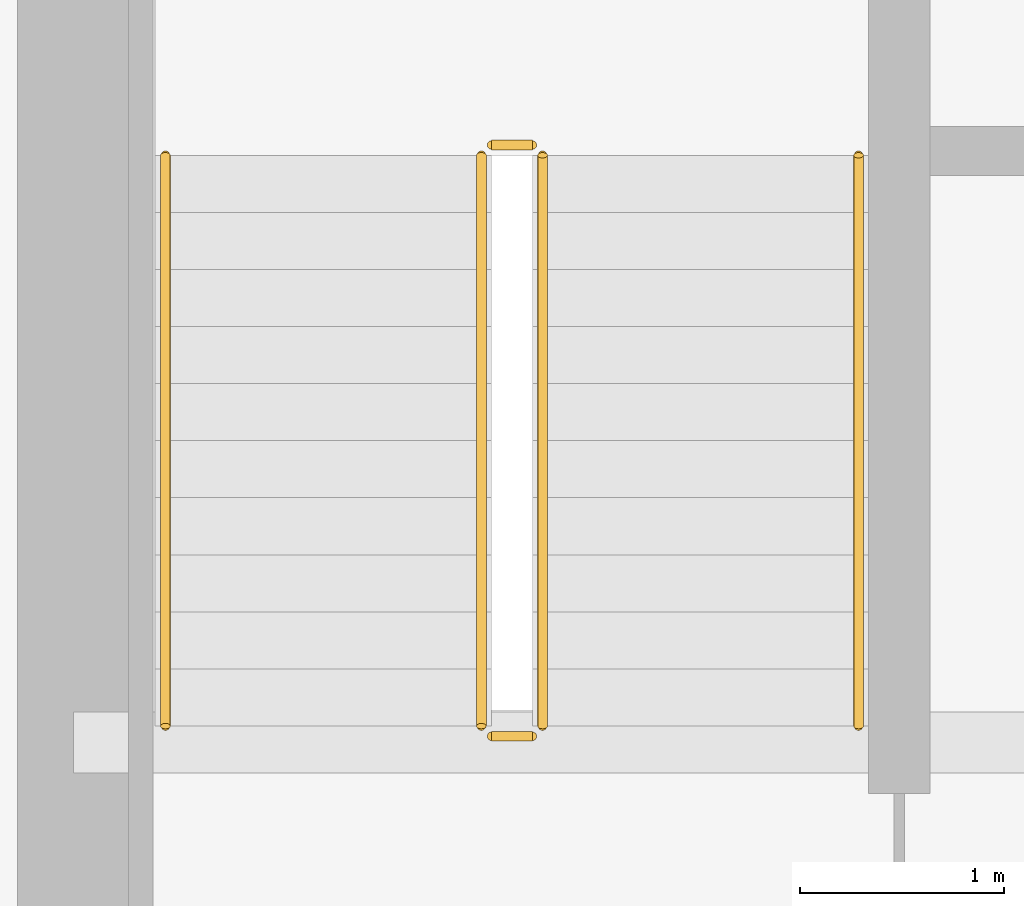
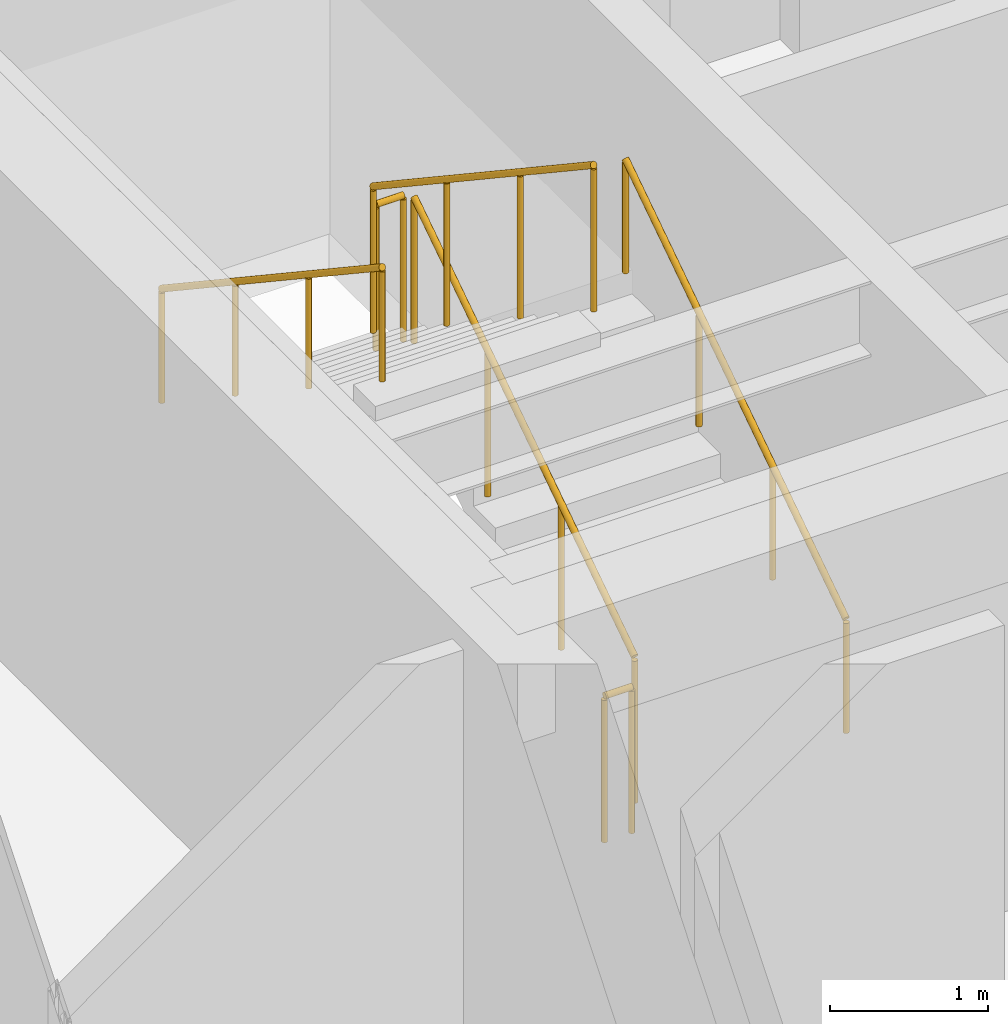
# One storey, part 32 of 33: 6 railings.
"""IFC4 building model written with IfcOpenShell, lengths in metres."""

from ifc_helpers import new_model, si_unit, direction, frame, origin, origin_2d, place, context, subcontext, project, spatial, circle, extrude, source, transform, mapped, material, type_object, type_shapes, element, save


model = new_model("IFC4")

# Units and contexts
model_context = context("Model", 3, precision=1e-05, world=origin(), true_north=direction((0.0, 1.0)))
body_context = subcontext(model_context, "Body", "Model", "MODEL_VIEW")
ifc_project = project(units=[si_unit("LENGTHUNIT", "METRE"), si_unit("AREAUNIT", "SQUARE_METRE"), si_unit("VOLUMEUNIT", "CUBIC_METRE"), si_unit("PLANEANGLEUNIT", "RADIAN"), si_unit("MASSUNIT", "GRAM", prefix="KILO")], contexts=[model_context])

# Site, building, storey
site_placement = place(None, origin())
site = spatial("IfcSite", under=ifc_project, at=site_placement, CompositionType="ELEMENT")
building_placement = place(site_placement, origin())
building = spatial("IfcBuilding", under=site, at=building_placement, Name="Haelvirn Gate Laboratories", CompositionType="ELEMENT")
storey_placement = place(building_placement, frame((0.0, 0.0, 217.800048828125)))
storey = spatial("IfcBuildingStorey", under=building, at=storey_placement, Name="L52", CompositionType="ELEMENT", Elevation=217.800048828125)

# Railings
ifc_material_1 = material(Name="Galvanised steel SM355 & stainless top rail", Category="steel")
railing_type_1 = type_object("IfcRailingType", Name="RL-GUARD-1150", PredefinedType="GUARDRAIL", material=ifc_material_1)
shared_shape_1 = source(origin(), body_context, "Body", "SweptSolid", [
    extrude(circle(Radius=0.02392578125, at=origin_2d()), frame((0.0, 0.0, 1.1259765625), z_axis=(-1.0, 0.0, 0.0), x_axis=(0.0, -1.0, 0.0)), (0.0, 0.0, 1.0), 0.199951171875),
    extrude(circle(Radius=0.02099609375, at=origin_2d()), origin(), (0.0, 0.0, 1.0), 1.101806640625),
    extrude(circle(Radius=0.02099609375, at=origin_2d()), frame((-0.199951171875, 0.0, 0.0)), (0.0, 0.0, 1.0), 1.101806640625),
])
for number, where, name in (
    (1, (9.64990234375, 29.550048828125, 2.050048828125), "L52 ST1 stair guard 2"),
    (2, (9.64990234375, 26.64990234375, 0.0), "L52 ST1 stair guard 4"),
):
    element("IfcRailing", number, at=place(storey_placement, frame(where)), inside=storey, type_object=railing_type_1, Name=name, PredefinedType="GUARDRAIL", context=body_context, shape_type="MappedRepresentation", body=[
        mapped(shared_shape_1, transform((0.0, 0.0, 0.0), scale=1.0)),
    ])
shared_shape_2 = source(origin(), body_context, "Body", "SweptSolid", [
    extrude(circle(Radius=0.02392578125, at=origin_2d()), frame((0.0, 0.0, 1.1259765625), z_axis=(0.0, 0.832452072856, 0.554097055034), x_axis=(-1.0, 0.0, 0.0)), (0.0, 0.0, 1.0), 3.363525390625),
    extrude(circle(Radius=0.02099609375, at=origin_2d()), origin(), (0.0, 0.0, 1.0), 1.101806640625),
    extrude(circle(Radius=0.02099609375, at=origin_2d()), frame((0.0, 0.933349609375, 0.621337890625)), (0.0, 0.0, 1.0), 1.101806640625),
    extrude(circle(Radius=0.02099609375, at=origin_2d()), frame((0.0, 1.86669921875, 1.242431640625)), (0.0, 0.0, 1.0), 1.101806640625),
    extrude(circle(Radius=0.02099609375, at=origin_2d()), frame((0.0, 2.800048828125, 1.86376953125)), (0.0, 0.0, 1.0), 1.101806640625),
])
railing_1_placement = place(storey_placement, frame((9.699951171875, 26.699951171875, 0.186279296875)))
element("IfcRailing", 3, at=railing_1_placement, inside=storey, type_object=railing_type_1, Name="L52 ST1 stair guard 1", PredefinedType="GUARDRAIL", context=body_context, shape_type="MappedRepresentation", body=[
    mapped(shared_shape_2, transform((0.0, 0.0, 0.0), scale=1.0)),
])
shared_shape_3 = source(origin(), body_context, "Body", "SweptSolid", [
    extrude(circle(Radius=0.02392578125, at=origin_2d()), frame((0.0, 0.0, 1.1259765625), z_axis=(0.0, -0.832485552168, 0.554046753832), x_axis=(1.0, 0.0, 0.0)), (0.0, 0.0, 1.0), 3.363525390625),
    extrude(circle(Radius=0.02099609375, at=origin_2d()), origin(), (0.0, 0.0, 1.0), 1.101806640625),
    extrude(circle(Radius=0.02099609375, at=origin_2d()), frame((0.0, -0.933349609375, 0.62109375)), (0.0, 0.0, 1.0), 1.101806640625),
    extrude(circle(Radius=0.02099609375, at=origin_2d()), frame((0.0, -1.86669921875, 1.242431640625)), (0.0, 0.0, 1.0), 1.101806640625),
    extrude(circle(Radius=0.02099609375, at=origin_2d()), frame((0.0, -2.800048828125, 1.863525390625)), (0.0, 0.0, 1.0), 1.101806640625),
])
type_shapes(railing_type_1, [shared_shape_1, shared_shape_2, shared_shape_3])
railing_2_placement = place(storey_placement, frame((9.39990234375, 29.5, 2.236328125)))
element("IfcRailing", 4, at=railing_2_placement, inside=storey, type_object=railing_type_1, Name="L52 ST1 stair guard 3", PredefinedType="GUARDRAIL", context=body_context, shape_type="MappedRepresentation", body=[
    mapped(shared_shape_3, transform((0.0, 0.0, 0.0), scale=1.0)),
])
ifc_material_2 = material(Name="Brushed stainless steel 316L", Category="steel")
railing_type_2 = type_object("IfcRailingType", Name="RL-HAND-920", PredefinedType="HANDRAIL", material=ifc_material_2)
shared_shape_4 = source(origin(), body_context, "Body", "SweptSolid", [
    extrude(circle(Radius=0.02392578125, at=origin_2d()), frame((0.0, 0.0, 0.8759765625), z_axis=(0.0, 0.832452072856, 0.554097055034), x_axis=(-1.0, 0.0, 0.0)), (0.0, 0.0, 1.0), 3.363525390625),
    extrude(circle(Radius=0.02099609375, at=origin_2d()), origin(), (0.0, 0.0, 1.0), 0.851806640625),
    extrude(circle(Radius=0.02099609375, at=origin_2d()), frame((0.0, 0.933349609375, 0.621337890625)), (0.0, 0.0, 1.0), 0.851806640625),
    extrude(circle(Radius=0.02099609375, at=origin_2d()), frame((0.0, 1.86669921875, 1.242431640625)), (0.0, 0.0, 1.0), 0.851806640625),
    extrude(circle(Radius=0.02099609375, at=origin_2d()), frame((0.0, 2.800048828125, 1.86376953125)), (0.0, 0.0, 1.0), 0.851806640625),
])
railing_3_placement = place(storey_placement, frame((11.25, 26.699951171875, 0.186279296875)))
element("IfcRailing", 5, at=railing_3_placement, inside=storey, type_object=railing_type_2, Name="L52 ST1 stair handrail 1", PredefinedType="HANDRAIL", context=body_context, shape_type="MappedRepresentation", body=[
    mapped(shared_shape_4, transform((0.0, 0.0, 0.0), scale=1.0)),
])
shared_shape_5 = source(origin(), body_context, "Body", "SweptSolid", [
    extrude(circle(Radius=0.02392578125, at=origin_2d()), frame((0.0, 0.0, 0.8759765625), z_axis=(0.0, -0.832485552168, 0.554046753832), x_axis=(1.0, 0.0, 0.0)), (0.0, 0.0, 1.0), 3.363525390625),
    extrude(circle(Radius=0.02099609375, at=origin_2d()), origin(), (0.0, 0.0, 1.0), 0.851806640625),
    extrude(circle(Radius=0.02099609375, at=origin_2d()), frame((0.0, -0.933349609375, 0.62109375)), (0.0, 0.0, 1.0), 0.851806640625),
    extrude(circle(Radius=0.02099609375, at=origin_2d()), frame((0.0, -1.86669921875, 1.242431640625)), (0.0, 0.0, 1.0), 0.851806640625),
    extrude(circle(Radius=0.02099609375, at=origin_2d()), frame((0.0, -2.800048828125, 1.863525390625)), (0.0, 0.0, 1.0), 0.851806640625),
])
type_shapes(railing_type_2, [shared_shape_4, shared_shape_5])
railing_4_placement = place(storey_placement, frame((7.85009765625, 29.5, 2.236328125)))
element("IfcRailing", 6, at=railing_4_placement, inside=storey, type_object=railing_type_2, Name="L52 ST1 stair handrail 2", PredefinedType="HANDRAIL", context=body_context, shape_type="MappedRepresentation", body=[
    mapped(shared_shape_5, transform((0.0, 0.0, 0.0), scale=1.0)),
])

save(model, "model.ifc")
